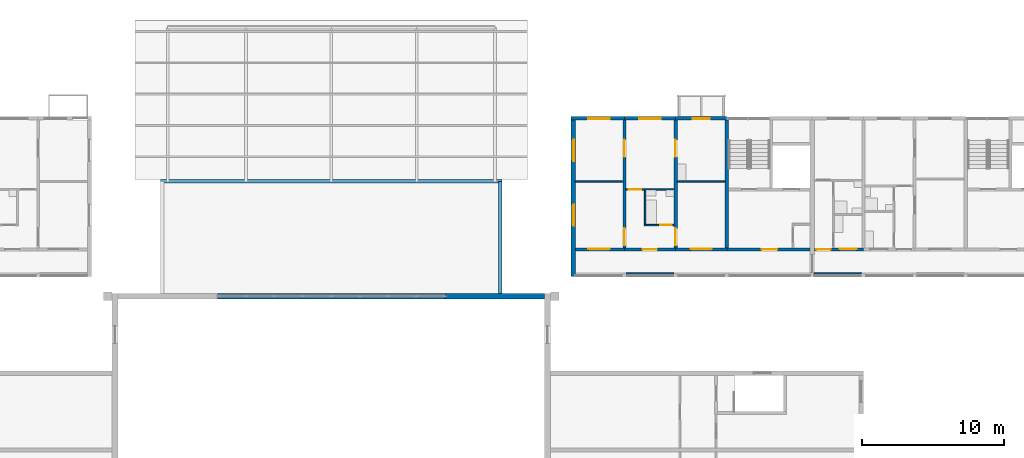
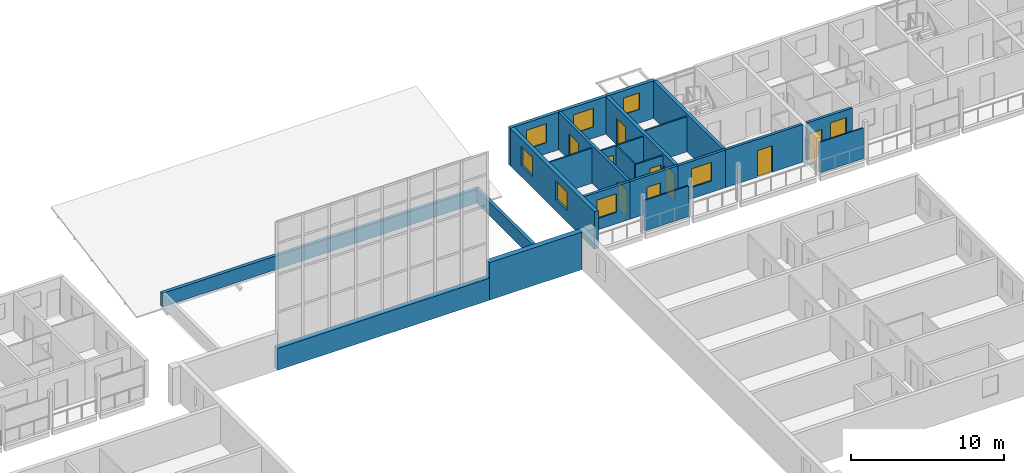
# One storey, part 75 of 122: 23 walls, 9 doors, 8 windows, 17 openings.
"""IFC4 building model written with IfcOpenShell, lengths in metres."""

from ifc_helpers import new_model, si_unit, direction, frame, frame_2d, origin, place, context, subcontext, project, spatial, rectangle, extrude, material, layer, layer_set, type_object, element, fill, save


model = new_model("IFC4")

# Units and contexts
model_context = context("Model", 3, precision=1e-05, world=origin(), true_north=direction((0.0, 1.0)))
body_context = subcontext(model_context, "Body", "Model", "MODEL_VIEW")
ifc_project = project(units=[si_unit("LENGTHUNIT", "METRE"), si_unit("AREAUNIT", "SQUARE_METRE"), si_unit("VOLUMEUNIT", "CUBIC_METRE"), si_unit("PLANEANGLEUNIT", "RADIAN"), si_unit("MASSUNIT", "GRAM", prefix="KILO")], contexts=[model_context])

# Site, building, storey
site_placement = place(None, origin())
site = spatial("IfcSite", under=ifc_project, at=site_placement, CompositionType="ELEMENT")
building_placement = place(site_placement, origin())
building = spatial("IfcBuilding", under=site, at=building_placement, Name="Ridgestep Commons", CompositionType="ELEMENT")
storey_placement = place(building_placement, frame((0.0, 0.0, 3.0)))
storey = spatial("IfcBuildingStorey", under=building, at=storey_placement, Name="L01", CompositionType="ELEMENT", Elevation=3.0)

# Walls
ifc_material_1 = material(Name="Precast concrete C40/50", Category="concrete")
ifc_layer_1 = layer(ifc_material_1, 0.25)
ifc_layer_set_1 = layer_set([ifc_layer_1], Name="Community parapet 250")
wall_type_1 = type_object("IfcWallType", Name="Community parapet 250", PredefinedType="PARAPET", material=ifc_layer_set_1)
wall_1_placement = place(storey_placement, frame((141.675048828125, 64.800048828125, 1.5), z_axis=(0.0, 0.0, 1.0), x_axis=(0.0, 1.0, 0.0)))
element("IfcWall", 1, at=wall_1_placement, inside=storey, type_object=wall_type_1, Name="Community parapet 250", PredefinedType="PARAPET", context=body_context, shape_type="SweptSolid", body=[
    extrude(rectangle(XDim=7.875, YDim=0.25, at=frame_2d((3.9375, 0.0))), origin(), (0.0, 0.0, 1.0), 1.10009765625),
])
wall_2_placement = place(storey_placement, frame((117.800048828125, 72.675048828125, 1.5), z_axis=(0.0, 0.0, 1.0), x_axis=(1.0, 0.0, 0.0)))
element("IfcWall", 2, at=wall_2_placement, inside=storey, type_object=wall_type_1, Name="Community parapet 250", PredefinedType="PARAPET", context=body_context, shape_type="SweptSolid", body=[
    extrude(rectangle(XDim=24.0, YDim=0.25, at=frame_2d((12.0, 0.0))), origin(), (0.0, 0.0, 1.0), 1.10009765625),
])
ifc_material_2 = material(Name="Concrete C30/37", Category="concrete")
ifc_layer_2 = layer(ifc_material_2, 0.25)
ifc_layer_set_2 = layer_set([ifc_layer_2], Name="Core cross wall 250")
wall_type_2 = type_object("IfcWallType", Name="Core cross wall 250", PredefinedType="SHEAR", material=ifc_layer_set_2)
wall_3_placement = place(storey_placement, frame((157.60009765625, 68.0, 0.0), z_axis=(0.0, 0.0, 1.0), x_axis=(0.0, 1.0, 0.0)))
element("IfcWall", 3, at=wall_3_placement, inside=storey, type_object=wall_type_2, Name="Cross wall C-01-1576", PredefinedType="SHEAR", context=body_context, shape_type="SweptSolid", body=[
    extrude(rectangle(XDim=9.0, YDim=0.25, at=frame_2d((4.5, 0.0))), origin(), (0.0, 0.0, 1.0), 3.0),
])

# Wall, opening, door
ifc_material_3 = material(Name="Concrete C30/37", Category="concrete")
ifc_layer_3 = layer(ifc_material_3, 0.199951171875)
ifc_layer_set_3 = layer_set([ifc_layer_3], Name="Core south wall 200")
wall_type_3 = type_object("IfcWallType", Name="Core south wall 200", PredefinedType="SHEAR", material=ifc_layer_set_3)
wall_4_placement = place(storey_placement, frame((157.60009765625, 67.89990234375, 0.0), z_axis=(0.0, 0.0, 1.0), x_axis=(1.0, 0.0, 0.0)))
wall_4 = element("IfcWall", 4, at=wall_4_placement, inside=storey, type_object=wall_type_3, Name="Core south wall C1C L01", PredefinedType="SHEAR", context=body_context, shape_type="SweptSolid", body=[
    extrude(rectangle(XDim=5.849853515625, YDim=0.199951171875, at=frame_2d((2.9248046875, 0.0))), origin(), (0.0, 0.0, 1.0), 3.0),
])
opening_1_placement = place(wall_4_placement, frame((2.4375, 0.0, 0.0)))
opening_1 = element("IfcOpeningElement", 5, at=opening_1_placement, cuts=wall_4, Name="Opening C1C/01/1", PredefinedType="OPENING", context=body_context, shape_type="SweptSolid", body=[
    extrude(rectangle(XDim=1.10009765625, YDim=2.10009765625, at=frame_2d((0.550048828125, 1.050048828125))), frame((0.0, 0.10986328125, 0.0), z_axis=(0.0, -1.0, 0.0), x_axis=(1.0, 0.0, 0.0)), (0.0, 0.0, 1.0), 0.219970703125),
])
ifc_material_4 = material(Name="Steel fire door", Category="steel")
door_type_1 = type_object("IfcDoorType", Name="Lobby door 1100 x 2100 FD60", OperationType="NOTDEFINED", PredefinedType="DOOR", material=ifc_material_4)
door_1_placement = place(opening_1_placement, origin())
door_1 = element("IfcDoor", 6, at=door_1_placement, inside=storey, type_object=door_type_1, Name="Lobby door C1C/01/1", OperationType="SINGLE_SWING_LEFT", OverallHeight=2.10009765625, OverallWidth=1.10009765625, PredefinedType="DOOR", context=body_context, shape_type="SweptSolid", body=[
    extrude(rectangle(XDim=1.10009765625, YDim=2.10009765625, at=frame_2d((0.550048828125, 1.050048828125))), frame((0.0, 0.02490234375, 0.0), z_axis=(0.0, -1.0, 0.0), x_axis=(1.0, 0.0, 0.0)), (0.0, 0.0, 1.0), 0.050048828125),
])
fill(opening_1, door_1)

# Wall, openings, doors
ifc_material_5 = material(Name="Precast concrete C40/50", Category="concrete")
ifc_layer_4 = layer(ifc_material_5, 0.199951171875)
ifc_layer_set_4 = layer_set([ifc_layer_4], Name="Cross wall 200")
wall_type_4 = type_object("IfcWallType", Name="Cross wall 200", PredefinedType="SHEAR", material=ifc_layer_set_4)
wall_5_placement = place(storey_placement, frame((150.39990234375, 68.0, 0.0), z_axis=(0.0, 0.0, 1.0), x_axis=(0.0, 1.0, 0.0)))
wall_5 = element("IfcWall", 7, at=wall_5_placement, inside=storey, type_object=wall_type_4, Name="Cross wall C-01-1504", PredefinedType="SHEAR", context=body_context, shape_type="SweptSolid", body=[
    extrude(rectangle(XDim=9.0, YDim=0.199951171875, at=frame_2d((4.5, 0.0))), origin(), (0.0, 0.0, 1.0), 3.0),
])
opening_2_placement = place(wall_5_placement, frame((0.175048828125, 0.0, 0.0)))
opening_2 = element("IfcOpeningElement", 8, at=opening_2_placement, cuts=wall_5, Name="Opening C1-01a/4", PredefinedType="OPENING", context=body_context, shape_type="SweptSolid", body=[
    extrude(rectangle(XDim=1.199951171875, YDim=2.10009765625, at=frame_2d((0.60009765625, 1.050048828125))), frame((0.0, 0.10986328125, 0.0), z_axis=(0.0, -1.0, 0.0), x_axis=(1.0, 0.0, 0.0)), (0.0, 0.0, 1.0), 0.219970703125),
])
opening_3_placement = place(wall_5_placement, frame((6.39990234375, 0.0, 0.0)))
opening_3 = element("IfcOpeningElement", 9, at=opening_3_placement, cuts=wall_5, Name="Opening C1-01a/5", PredefinedType="OPENING", context=body_context, shape_type="SweptSolid", body=[
    extrude(rectangle(XDim=1.199951171875, YDim=2.10009765625, at=frame_2d((0.60009765625, 1.050048828125))), frame((0.0, 0.10986328125, 0.0), z_axis=(0.0, -1.0, 0.0), x_axis=(1.0, 0.0, 0.0)), (0.0, 0.0, 1.0), 0.219970703125),
])
ifc_material_6 = material(Name="Timber door leaf", Category="wood")
door_type_2 = type_object("IfcDoorType", Name="Double door 1200 x 2100", OperationType="DOUBLE_DOOR_SINGLE_SWING", PredefinedType="DOOR", material=ifc_material_6)
door_2_placement = place(opening_2_placement, origin())
door_2 = element("IfcDoor", 10, at=door_2_placement, inside=storey, type_object=door_type_2, Name="Double door C1-01a/4", OperationType="DOUBLE_DOOR_SINGLE_SWING", OverallHeight=2.10009765625, OverallWidth=1.199951171875, PredefinedType="DOOR", context=body_context, shape_type="SweptSolid", body=[
    extrude(rectangle(XDim=1.199951171875, YDim=2.10009765625, at=frame_2d((0.60009765625, 1.050048828125))), frame((0.0, 0.02490234375, 0.0), z_axis=(0.0, -1.0, 0.0), x_axis=(1.0, 0.0, 0.0)), (0.0, 0.0, 1.0), 0.050048828125),
])
fill(opening_2, door_2)
door_3_placement = place(opening_3_placement, origin())
door_3 = element("IfcDoor", 11, at=door_3_placement, inside=storey, type_object=door_type_2, Name="Double door C1-01a/5", OperationType="DOUBLE_DOOR_SINGLE_SWING", OverallHeight=2.10009765625, OverallWidth=1.199951171875, PredefinedType="DOOR", context=body_context, shape_type="SweptSolid", body=[
    extrude(rectangle(XDim=1.199951171875, YDim=2.10009765625, at=frame_2d((0.60009765625, 1.050048828125))), frame((0.0, 0.02490234375, 0.0), z_axis=(0.0, -1.0, 0.0), x_axis=(1.0, 0.0, 0.0)), (0.0, 0.0, 1.0), 0.050048828125),
])
fill(opening_3, door_3)

ifc_material_7 = material(Name="Precast concrete C40/50", Category="concrete")
ifc_layer_5 = layer(ifc_material_7, 0.25)
ifc_layer_set_5 = layer_set([ifc_layer_5], Name="Cross wall 250")
wall_type_5 = type_object("IfcWallType", Name="Cross wall 250", PredefinedType="SHEAR", material=ifc_layer_set_5)
wall_6_placement = place(storey_placement, frame((154.0, 68.0, 0.0), z_axis=(0.0, 0.0, 1.0), x_axis=(0.0, 1.0, 0.0)))
wall_6 = element("IfcWall", 12, at=wall_6_placement, inside=storey, type_object=wall_type_5, Name="Cross wall C-01-1540", PredefinedType="SHEAR", context=body_context, shape_type="SweptSolid", body=[
    extrude(rectangle(XDim=9.0, YDim=0.25, at=frame_2d((4.5, 0.0))), origin(), (0.0, 0.0, 1.0), 3.0),
])
opening_4_placement = place(wall_6_placement, frame((0.175048828125, 0.0, 0.0)))
opening_4 = element("IfcOpeningElement", 13, at=opening_4_placement, cuts=wall_6, Name="Opening C1-01a/6", PredefinedType="OPENING", context=body_context, shape_type="SweptSolid", body=[
    extrude(rectangle(XDim=1.199951171875, YDim=2.10009765625, at=frame_2d((0.60009765625, 1.050048828125))), frame((0.0, 0.135009765625, 0.0), z_axis=(0.0, -1.0, 0.0), x_axis=(1.0, 0.0, 0.0)), (0.0, 0.0, 1.0), 0.27001953125),
])
opening_5_placement = place(wall_6_placement, frame((6.39990234375, 0.0, 0.0)))
opening_5 = element("IfcOpeningElement", 14, at=opening_5_placement, cuts=wall_6, Name="Opening C1-01a/7", PredefinedType="OPENING", context=body_context, shape_type="SweptSolid", body=[
    extrude(rectangle(XDim=1.199951171875, YDim=2.10009765625, at=frame_2d((0.60009765625, 1.050048828125))), frame((0.0, 0.135009765625, 0.0), z_axis=(0.0, -1.0, 0.0), x_axis=(1.0, 0.0, 0.0)), (0.0, 0.0, 1.0), 0.27001953125),
])
door_4_placement = place(opening_4_placement, origin())
door_4 = element("IfcDoor", 15, at=door_4_placement, inside=storey, type_object=door_type_2, Name="Double door C1-01a/6", OperationType="DOUBLE_DOOR_SINGLE_SWING", OverallHeight=2.10009765625, OverallWidth=1.199951171875, PredefinedType="DOOR", context=body_context, shape_type="SweptSolid", body=[
    extrude(rectangle(XDim=1.199951171875, YDim=2.10009765625, at=frame_2d((0.60009765625, 1.050048828125))), frame((0.0, 0.02490234375, 0.0), z_axis=(0.0, -1.0, 0.0), x_axis=(1.0, 0.0, 0.0)), (0.0, 0.0, 1.0), 0.050048828125),
])
fill(opening_4, door_4)
door_5_placement = place(opening_5_placement, origin())
door_5 = element("IfcDoor", 16, at=door_5_placement, inside=storey, type_object=door_type_2, Name="Double door C1-01a/7", OperationType="DOUBLE_DOOR_SINGLE_SWING", OverallHeight=2.10009765625, OverallWidth=1.199951171875, PredefinedType="DOOR", context=body_context, shape_type="SweptSolid", body=[
    extrude(rectangle(XDim=1.199951171875, YDim=2.10009765625, at=frame_2d((0.60009765625, 1.050048828125))), frame((0.0, 0.02490234375, 0.0), z_axis=(0.0, -1.0, 0.0), x_axis=(1.0, 0.0, 0.0)), (0.0, 0.0, 1.0), 0.050048828125),
])
fill(opening_5, door_5)

# Wall, openings, windows
ifc_material_8 = material(Name="Precast concrete C40/50", Category="concrete")
ifc_layer_6 = layer(ifc_material_8, 0.300048828125)
ifc_layer_set_6 = layer_set([ifc_layer_6], Name="Exposed division wall 300")
wall_type_6 = type_object("IfcWallType", Name="Exposed division wall 300", PredefinedType="SHEAR", material=ifc_layer_set_6)
wall_7_placement = place(storey_placement, frame((146.800048828125, 66.0, 0.0), z_axis=(0.0, 0.0, 1.0), x_axis=(0.0, 1.0, 0.0)))
wall_7 = element("IfcWall", 17, at=wall_7_placement, inside=storey, type_object=wall_type_6, Name="Cross wall C-01-1468", PredefinedType="SHEAR", context=body_context, shape_type="SweptSolid", body=[
    extrude(rectangle(XDim=11.0, YDim=0.300048828125, at=frame_2d((5.5, 0.0))), origin(), (0.0, 0.0, 1.0), 3.0),
])
opening_6_placement = place(wall_7_placement, frame((3.550048828125, 0.0, 0.89990234375)))
opening_6 = element("IfcOpeningElement", 18, at=opening_6_placement, cuts=wall_7, Name="Opening W16", PredefinedType="OPENING", context=body_context, shape_type="SweptSolid", body=[
    extrude(rectangle(XDim=1.5, YDim=1.5, at=frame_2d((0.75, 0.75))), frame((0.0, 0.159912109375, 0.0), z_axis=(0.0, -1.0, 0.0), x_axis=(1.0, 0.0, 0.0)), (0.0, 0.0, 1.0), 0.320068359375),
])
opening_7_placement = place(wall_7_placement, frame((8.10498046875, 0.0, 0.89990234375)))
opening_7 = element("IfcOpeningElement", 19, at=opening_7_placement, cuts=wall_7, Name="Opening W16", PredefinedType="OPENING", context=body_context, shape_type="SweptSolid", body=[
    extrude(rectangle(XDim=1.5, YDim=1.5, at=frame_2d((0.75, 0.75))), frame((0.0, 0.159912109375, 0.0), z_axis=(0.0, -1.0, 0.0), x_axis=(1.0, 0.0, 0.0)), (0.0, 0.0, 1.0), 0.320068359375),
])
ifc_material_9 = material(Name="Aluminium 6063-T6 and glass", Category="aluminium")
window_type_1 = type_object("IfcWindowType", Name="Flat window 1500 x 1500", PartitioningType="DOUBLE_PANEL_VERTICAL", PredefinedType="WINDOW", material=ifc_material_9)
window_1_placement = place(opening_6_placement, origin())
window_1 = element("IfcWindow", 20, at=window_1_placement, inside=storey, type_object=window_type_1, Name="Window C1-01a 6", OverallHeight=1.5, OverallWidth=1.5, PartitioningType="SINGLE_PANEL", PredefinedType="WINDOW", context=body_context, shape_type="SweptSolid", body=[
    extrude(rectangle(XDim=1.5, YDim=1.5, at=frame_2d((0.75, 0.75))), frame((0.0, 0.0, 0.0), z_axis=(0.0, -1.0, 0.0), x_axis=(1.0, 0.0, 0.0)), (0.0, 0.0, 1.0), 0.06005859375),
])
fill(opening_6, window_1)
window_2_placement = place(opening_7_placement, origin())
window_2 = element("IfcWindow", 21, at=window_2_placement, inside=storey, type_object=window_type_1, Name="Window C1-01a 7", OverallHeight=1.5, OverallWidth=1.5, PartitioningType="SINGLE_PANEL", PredefinedType="WINDOW", context=body_context, shape_type="SweptSolid", body=[
    extrude(rectangle(XDim=1.5, YDim=1.5, at=frame_2d((0.75, 0.75))), frame((0.0, 0.0, 0.0), z_axis=(0.0, -1.0, 0.0), x_axis=(1.0, 0.0, 0.0)), (0.0, 0.0, 1.0), 0.06005859375),
])
fill(opening_7, window_2)

# Walls
ifc_material_10 = material(Name="Precast concrete C40/50", Category="concrete")
ifc_layer_7 = layer(ifc_material_10, 0.39990234375)
ifc_layer_set_7 = layer_set([ifc_layer_7], Name="Hall wall 400")
wall_type_7 = type_object("IfcWallType", Name="Hall wall 400", PredefinedType="SOLIDWALL", material=ifc_layer_set_7)
wall_8_placement = place(storey_placement, frame((137.800048828125, 64.60009765625, 0.0), z_axis=(0.0, 0.0, 1.0), x_axis=(1.0, 0.0, 0.0)))
element("IfcWall", 22, at=wall_8_placement, inside=storey, type_object=wall_type_7, Name="Hall wall 400", PredefinedType="SOLIDWALL", context=body_context, shape_type="SweptSolid", body=[
    extrude(rectangle(XDim=7.0, YDim=0.39990234375, at=frame_2d((3.5, 0.0))), origin(), (0.0, 0.0, 1.0), 3.0),
])
wall_9_placement = place(storey_placement, frame((121.800048828125, 64.60009765625, 0.0), z_axis=(0.0, 0.0, 1.0), x_axis=(1.0, 0.0, 0.0)))
element("IfcWall", 23, at=wall_9_placement, inside=storey, type_object=wall_type_7, Name="Hall wall 400", PredefinedType="SOLIDWALL", context=body_context, shape_type="SweptSolid", body=[
    extrude(rectangle(XDim=16.0, YDim=0.39990234375, at=frame_2d((8.0, 0.0))), origin(), (0.0, 0.0, 1.0), 1.75),
])

# Wall, opening, window
ifc_material_11 = material(Name="Precast concrete C40/50", Category="concrete")
ifc_layer_8 = layer(ifc_material_11, 0.25)
ifc_layer_set_8 = layer_set([ifc_layer_8], Name="North facade panel 250")
wall_type_8 = type_object("IfcWallType", Name="North facade panel 250", PredefinedType="SOLIDWALL", material=ifc_layer_set_8)
wall_10_placement = place(storey_placement, frame((146.64990234375, 77.125, 0.0), z_axis=(0.0, 0.0, 1.0), x_axis=(1.0, 0.0, 0.0)))
wall_10 = element("IfcWall", 24, at=wall_10_placement, inside=storey, type_object=wall_type_8, Name="North panel C1T1 L01", PredefinedType="SOLIDWALL", context=body_context, shape_type="SweptSolid", body=[
    extrude(rectangle(XDim=3.75, YDim=0.25, at=frame_2d((1.875, 0.0))), origin(), (0.0, 0.0, 1.0), 3.0),
])
opening_8_placement = place(wall_10_placement, frame((1.22509765625, 0.0, 0.89990234375)))
opening_8 = element("IfcOpeningElement", 25, at=opening_8_placement, cuts=wall_10, Name="Opening W16", PredefinedType="OPENING", context=body_context, shape_type="SweptSolid", body=[
    extrude(rectangle(XDim=1.5, YDim=1.5, at=frame_2d((0.75, 0.75))), frame((0.0, 0.135009765625, 0.0), z_axis=(0.0, -1.0, 0.0), x_axis=(1.0, 0.0, 0.0)), (0.0, 0.0, 1.0), 0.27001953125),
])
window_3_placement = place(opening_8_placement, origin())
window_3 = element("IfcWindow", 26, at=window_3_placement, inside=storey, type_object=window_type_1, Name="Window C1-01a 2", OverallHeight=1.5, OverallWidth=1.5, PartitioningType="SINGLE_PANEL", PredefinedType="WINDOW", context=body_context, shape_type="SweptSolid", body=[
    extrude(rectangle(XDim=1.5, YDim=1.5, at=frame_2d((0.75, 0.75))), frame((0.0, -0.02490234375, 0.0), z_axis=(0.0, -1.0, 0.0), x_axis=(1.0, 0.0, 0.0)), (0.0, 0.0, 1.0), 0.06005859375),
])
fill(opening_8, window_3)

wall_11_placement = place(storey_placement, frame((150.39990234375, 77.125, 0.0), z_axis=(0.0, 0.0, 1.0), x_axis=(1.0, 0.0, 0.0)))
wall_11 = element("IfcWall", 27, at=wall_11_placement, inside=storey, type_object=wall_type_8, Name="North panel C1T2 L01", PredefinedType="SOLIDWALL", context=body_context, shape_type="SweptSolid", body=[
    extrude(rectangle(XDim=3.60009765625, YDim=0.25, at=frame_2d((1.800048828125, 0.0))), origin(), (0.0, 0.0, 1.0), 3.0),
])
opening_9_placement = place(wall_11_placement, frame((1.03759765625, 0.0, 0.89990234375)))
opening_9 = element("IfcOpeningElement", 28, at=opening_9_placement, cuts=wall_11, Name="Opening W16", PredefinedType="OPENING", context=body_context, shape_type="SweptSolid", body=[
    extrude(rectangle(XDim=1.5, YDim=1.5, at=frame_2d((0.75, 0.75))), frame((0.0, 0.135009765625, 0.0), z_axis=(0.0, -1.0, 0.0), x_axis=(1.0, 0.0, 0.0)), (0.0, 0.0, 1.0), 0.27001953125),
])
window_4_placement = place(opening_9_placement, origin())
window_4 = element("IfcWindow", 29, at=window_4_placement, inside=storey, type_object=window_type_1, Name="Window C1-01a 5", OverallHeight=1.5, OverallWidth=1.5, PartitioningType="SINGLE_PANEL", PredefinedType="WINDOW", context=body_context, shape_type="SweptSolid", body=[
    extrude(rectangle(XDim=1.5, YDim=1.5, at=frame_2d((0.75, 0.75))), frame((0.0, -0.02490234375, 0.0), z_axis=(0.0, -1.0, 0.0), x_axis=(1.0, 0.0, 0.0)), (0.0, 0.0, 1.0), 0.06005859375),
])
fill(opening_9, window_4)

wall_12_placement = place(storey_placement, frame((154.0, 77.125, 0.0), z_axis=(0.0, 0.0, 1.0), x_axis=(1.0, 0.0, 0.0)))
wall_12 = element("IfcWall", 30, at=wall_12_placement, inside=storey, type_object=wall_type_8, Name="North panel C1T3 L01", PredefinedType="SOLIDWALL", context=body_context, shape_type="SweptSolid", body=[
    extrude(rectangle(XDim=3.60009765625, YDim=0.25, at=frame_2d((1.800048828125, 0.0))), origin(), (0.0, 0.0, 1.0), 3.0),
])
opening_10_placement = place(wall_12_placement, frame((1.199951171875, 0.0, 1.10009765625)))
opening_10 = element("IfcOpeningElement", 31, at=opening_10_placement, cuts=wall_12, Name="Opening W08", PredefinedType="OPENING", context=body_context, shape_type="SweptSolid", body=[
    extrude(rectangle(XDim=1.199951171875, YDim=1.300048828125, at=frame_2d((0.60009765625, 0.64990234375))), frame((0.0, 0.135009765625, 0.0), z_axis=(0.0, -1.0, 0.0), x_axis=(1.0, 0.0, 0.0)), (0.0, 0.0, 1.0), 0.27001953125),
])
ifc_material_12 = material(Name="Aluminium 6063-T6 and glass", Category="aluminium")
window_type_2 = type_object("IfcWindowType", Name="Flat window 1200 x 1300", PartitioningType="SINGLE_PANEL", PredefinedType="WINDOW", material=ifc_material_12)
window_5_placement = place(opening_10_placement, origin())
window_5 = element("IfcWindow", 32, at=window_5_placement, inside=storey, type_object=window_type_2, Name="Window C1-01a 4", OverallHeight=1.300048828125, OverallWidth=1.199951171875, PartitioningType="SINGLE_PANEL", PredefinedType="WINDOW", context=body_context, shape_type="SweptSolid", body=[
    extrude(rectangle(XDim=1.199951171875, YDim=1.300048828125, at=frame_2d((0.60009765625, 0.64990234375))), frame((0.0, -0.02490234375, 0.0), z_axis=(0.0, -1.0, 0.0), x_axis=(1.0, 0.0, 0.0)), (0.0, 0.0, 1.0), 0.06005859375),
])
fill(opening_10, window_5)

# Wall, opening, door
ifc_material_13 = material(Name="Common brick 110 mm", Category="masonry")
ifc_layer_9 = layer(ifc_material_13, 0.110107421875)
ifc_layer_set_9 = layer_set([ifc_layer_9], Name="Partition 110")
wall_type_9 = type_object("IfcWallType", Name="Partition 110", PredefinedType="PARTITIONING", material=ifc_layer_set_9)
wall_13_placement = place(storey_placement, frame((151.800048828125, 69.60498046875, 0.0), z_axis=(0.0, 0.0, 1.0), x_axis=(1.0, 0.0, 0.0)))
wall_13 = element("IfcWall", 33, at=wall_13_placement, inside=storey, type_object=wall_type_9, Name="Partition C1-01a", PredefinedType="PARTITIONING", context=body_context, shape_type="SweptSolid", body=[
    extrude(rectangle(XDim=2.074951171875, YDim=0.110107421875, at=frame_2d((1.03759765625, 0.0))), origin(), (0.0, 0.0, 1.0), 2.800048828125),
])
opening_11_placement = place(wall_13_placement, frame((1.125, 0.0, 0.0)))
opening_11 = element("IfcOpeningElement", 34, at=opening_11_placement, cuts=wall_13, Name="Opening C1-01a/2", PredefinedType="OPENING", context=body_context, shape_type="SweptSolid", body=[
    extrude(rectangle(XDim=0.800048828125, YDim=2.10009765625, at=frame_2d((0.39990234375, 1.050048828125))), frame((0.0, 0.06494140625, 0.0), z_axis=(0.0, -1.0, 0.0), x_axis=(1.0, 0.0, 0.0)), (0.0, 0.0, 1.0), 0.130126953125),
])
ifc_material_14 = material(Name="Timber door leaf", Category="wood")
door_type_3 = type_object("IfcDoorType", Name="Internal door 800 x 2100", OperationType="NOTDEFINED", PredefinedType="DOOR", material=ifc_material_14)
door_6_placement = place(opening_11_placement, origin())
door_6 = element("IfcDoor", 35, at=door_6_placement, inside=storey, type_object=door_type_3, Name="Internal door C1-01a/2", OperationType="SINGLE_SWING_RIGHT", OverallHeight=2.10009765625, OverallWidth=0.800048828125, PredefinedType="DOOR", context=body_context, shape_type="SweptSolid", body=[
    extrude(rectangle(XDim=0.800048828125, YDim=2.10009765625, at=frame_2d((0.39990234375, 1.050048828125))), frame((0.0, 0.02490234375, 0.0), z_axis=(0.0, -1.0, 0.0), x_axis=(1.0, 0.0, 0.0)), (0.0, 0.0, 1.0), 0.050048828125),
])
fill(opening_11, door_6)

# Wall
wall_14_placement = place(storey_placement, frame((151.85498046875, 69.659912109375, 0.0), z_axis=(0.0, 0.0, 1.0), x_axis=(0.0, 1.0, 0.0)))
element("IfcWall", 36, at=wall_14_placement, inside=storey, type_object=wall_type_9, Name="Partition C1-01a", PredefinedType="PARTITIONING", context=body_context, shape_type="SweptSolid", body=[
    extrude(rectangle(XDim=2.400146484375, YDim=0.110107421875, at=frame_2d((1.2001953125, 0.0))), origin(), (0.0, 0.0, 1.0), 2.800048828125),
])

# Wall, opening, door
wall_15_placement = place(storey_placement, frame((150.5, 72.114990234375, 0.0), z_axis=(0.0, 0.0, 1.0), x_axis=(1.0, 0.0, 0.0)))
wall_15 = element("IfcWall", 37, at=wall_15_placement, inside=storey, type_object=wall_type_9, Name="Partition C1-01a", PredefinedType="PARTITIONING", context=body_context, shape_type="SweptSolid", body=[
    extrude(rectangle(XDim=3.375, YDim=0.110107421875, at=frame_2d((1.6875, 0.0))), origin(), (0.0, 0.0, 1.0), 2.800048828125),
])
opening_12_placement = place(wall_15_placement, frame((0.199951171875, 0.0, 0.0)))
opening_12 = element("IfcOpeningElement", 38, at=opening_12_placement, cuts=wall_15, Name="Opening C1-01a/3", PredefinedType="OPENING", context=body_context, shape_type="SweptSolid", body=[
    extrude(rectangle(XDim=0.89990234375, YDim=2.10009765625, at=frame_2d((0.449951171875, 1.050048828125))), frame((0.0, 0.06494140625, 0.0), z_axis=(0.0, -1.0, 0.0), x_axis=(1.0, 0.0, 0.0)), (0.0, 0.0, 1.0), 0.130126953125),
])
ifc_material_15 = material(Name="Timber door leaf", Category="wood")
door_type_4 = type_object("IfcDoorType", Name="Internal door 900 x 2100", OperationType="NOTDEFINED", PredefinedType="DOOR", material=ifc_material_15)
door_7_placement = place(opening_12_placement, origin())
door_7 = element("IfcDoor", 39, at=door_7_placement, inside=storey, type_object=door_type_4, Name="Internal door C1-01a/3", OperationType="SINGLE_SWING_LEFT", OverallHeight=2.10009765625, OverallWidth=0.89990234375, PredefinedType="DOOR", context=body_context, shape_type="SweptSolid", body=[
    extrude(rectangle(XDim=0.89990234375, YDim=2.10009765625, at=frame_2d((0.449951171875, 1.050048828125))), frame((0.0, 0.02490234375, 0.0), z_axis=(0.0, -1.0, 0.0), x_axis=(1.0, 0.0, 0.0)), (0.0, 0.0, 1.0), 0.050048828125),
])
fill(opening_12, door_7)

# Walls
for number, where, z_axis, x_axis, name in (
    (40, (146.949951171875, 72.655029296875, 0.0), (0.0, 0.0, 1.0), (1.0, 0.0, 0.0), "Partition C1-01a"),
    (41, (154.125, 72.655029296875, 0.0), (0.0, 0.0, 1.0), (1.0, 0.0, 0.0), "Partition C1-01a"),
):
    element("IfcWall", number, at=place(storey_placement, frame(where, z_axis=z_axis, x_axis=x_axis)), inside=storey, type_object=wall_type_9, Name=name, PredefinedType="PARTITIONING", context=body_context, shape_type="SweptSolid", body=[
        extrude(rectangle(XDim=3.35009765625, YDim=0.110107421875, at=frame_2d((1.675048828125, 0.0))), origin(), (0.0, 0.0, 1.0), 2.800048828125),
    ])
ifc_material_16 = material(Name="Precast concrete C30/37", Category="concrete")
ifc_layer_10 = layer(ifc_material_16, 0.10009765625)
ifc_layer_set_10 = layer_set([ifc_layer_10], Name="Perforated gallery screen 3325 x 2450 x 100")
wall_type_10 = type_object("IfcWallType", Name="Perforated gallery screen 3325 x 2450 x 100", PredefinedType="SOLIDWALL", material=ifc_layer_set_10)
wall_16_placement = place(storey_placement, frame((163.75, 66.199951171875, 0.0), z_axis=(0.0, 0.0, 1.0), x_axis=(1.0, 0.0, 0.0)))
element("IfcWall", 42, at=wall_16_placement, inside=storey, type_object=wall_type_10, Name="Gallery screen C2T1 01", PredefinedType="SOLIDWALL", context=body_context, shape_type="SweptSolid", body=[
    extrude(rectangle(XDim=3.324951171875, YDim=0.10009765625, at=frame_2d((1.66259765625, 0.0))), origin(), (0.0, 0.0, 1.0), 2.449951171875),
])
ifc_material_17 = material(Name="Precast concrete C30/37", Category="concrete")
ifc_layer_11 = layer(ifc_material_17, 0.10009765625)
ifc_layer_set_11 = layer_set([ifc_layer_11], Name="Perforated gallery screen 3350 x 2450 x 100")
wall_type_11 = type_object("IfcWallType", Name="Perforated gallery screen 3350 x 2450 x 100", PredefinedType="SOLIDWALL", material=ifc_layer_set_11)
wall_17_placement = place(storey_placement, frame((150.52490234375, 66.199951171875, 0.0), z_axis=(0.0, 0.0, 1.0), x_axis=(1.0, 0.0, 0.0)))
element("IfcWall", 43, at=wall_17_placement, inside=storey, type_object=wall_type_11, Name="Gallery screen C1T2 01", PredefinedType="SOLIDWALL", context=body_context, shape_type="SweptSolid", body=[
    extrude(rectangle(XDim=3.35009765625, YDim=0.10009765625, at=frame_2d((1.675048828125, 0.0))), origin(), (0.0, 0.0, 1.0), 2.449951171875),
])

# Wall, opening, window
ifc_material_18 = material(Name="Precast concrete C40/50", Category="concrete")
ifc_layer_12 = layer(ifc_material_18, 0.199951171875)
ifc_layer_set_12 = layer_set([ifc_layer_12], Name="South facade panel 200")
wall_type_12 = type_object("IfcWallType", Name="South facade panel 200", PredefinedType="SOLIDWALL", material=ifc_layer_set_12)
wall_18_placement = place(storey_placement, frame((146.949951171875, 67.89990234375, 0.0), z_axis=(0.0, 0.0, 1.0), x_axis=(1.0, 0.0, 0.0)))
wall_18 = element("IfcWall", 44, at=wall_18_placement, inside=storey, type_object=wall_type_12, Name="South panel C1T1 L01", PredefinedType="SOLIDWALL", context=body_context, shape_type="SweptSolid", body=[
    extrude(rectangle(XDim=3.449951171875, YDim=0.199951171875, at=frame_2d((1.72509765625, 0.0))), origin(), (0.0, 0.0, 1.0), 3.0),
])
opening_13_placement = place(wall_18_placement, frame((0.925048828125, 0.0, 0.89990234375)))
opening_13 = element("IfcOpeningElement", 45, at=opening_13_placement, cuts=wall_18, Name="Opening W16", PredefinedType="OPENING", context=body_context, shape_type="SweptSolid", body=[
    extrude(rectangle(XDim=1.5, YDim=1.5, at=frame_2d((0.75, 0.75))), frame((0.0, 0.10986328125, 0.0), z_axis=(0.0, -1.0, 0.0), x_axis=(1.0, 0.0, 0.0)), (0.0, 0.0, 1.0), 0.219970703125),
])
window_6_placement = place(opening_13_placement, origin())
window_6 = element("IfcWindow", 46, at=window_6_placement, inside=storey, type_object=window_type_1, Name="Window C1-01a 1", OverallHeight=1.5, OverallWidth=1.5, PartitioningType="SINGLE_PANEL", PredefinedType="WINDOW", context=body_context, shape_type="SweptSolid", body=[
    extrude(rectangle(XDim=1.5, YDim=1.5, at=frame_2d((0.75, 0.75))), frame((0.0, 0.06005859375, 0.0), z_axis=(0.0, -1.0, 0.0), x_axis=(1.0, 0.0, 0.0)), (0.0, 0.0, 1.0), 0.06005859375),
])
fill(opening_13, window_6)

# Wall, opening, door
wall_19_placement = place(storey_placement, frame((150.39990234375, 67.89990234375, 0.0), z_axis=(0.0, 0.0, 1.0), x_axis=(1.0, 0.0, 0.0)))
wall_19 = element("IfcWall", 47, at=wall_19_placement, inside=storey, type_object=wall_type_12, Name="South panel C1T2 L01", PredefinedType="SOLIDWALL", context=body_context, shape_type="SweptSolid", body=[
    extrude(rectangle(XDim=3.60009765625, YDim=0.199951171875, at=frame_2d((1.800048828125, 0.0))), origin(), (0.0, 0.0, 1.0), 3.0),
])
opening_14_placement = place(wall_19_placement, frame((1.28759765625, 0.0, 0.0)))
opening_14 = element("IfcOpeningElement", 48, at=opening_14_placement, cuts=wall_19, Name="Opening C1-01a/1", PredefinedType="OPENING", context=body_context, shape_type="SweptSolid", body=[
    extrude(rectangle(XDim=1.0, YDim=2.10009765625, at=frame_2d((0.5, 1.050048828125))), frame((0.0, 0.10986328125, 0.0), z_axis=(0.0, -1.0, 0.0), x_axis=(1.0, 0.0, 0.0)), (0.0, 0.0, 1.0), 0.219970703125),
])
ifc_material_19 = material(Name="Timber door leaf", Category="wood")
door_type_5 = type_object("IfcDoorType", Name="Flat entrance door 1000 x 2100 FD30S", OperationType="NOTDEFINED", PredefinedType="DOOR", material=ifc_material_19)
door_8_placement = place(opening_14_placement, origin())
door_8 = element("IfcDoor", 49, at=door_8_placement, inside=storey, type_object=door_type_5, Name="Flat entrance door C1-01a/1", OperationType="SINGLE_SWING_LEFT", OverallHeight=2.10009765625, OverallWidth=1.0, PredefinedType="DOOR", context=body_context, shape_type="SweptSolid", body=[
    extrude(rectangle(XDim=1.0, YDim=2.10009765625, at=frame_2d((0.5, 1.050048828125))), frame((0.0, 0.02490234375, 0.0), z_axis=(0.0, -1.0, 0.0), x_axis=(1.0, 0.0, 0.0)), (0.0, 0.0, 1.0), 0.050048828125),
])
fill(opening_14, door_8)

# Wall, opening, window
wall_20_placement = place(storey_placement, frame((154.0, 67.89990234375, 0.0), z_axis=(0.0, 0.0, 1.0), x_axis=(1.0, 0.0, 0.0)))
wall_20 = element("IfcWall", 50, at=wall_20_placement, inside=storey, type_object=wall_type_12, Name="South panel C1T3 L01", PredefinedType="SOLIDWALL", context=body_context, shape_type="SweptSolid", body=[
    extrude(rectangle(XDim=3.60009765625, YDim=0.199951171875, at=frame_2d((1.800048828125, 0.0))), origin(), (0.0, 0.0, 1.0), 3.0),
])
opening_15_placement = place(wall_20_placement, frame((1.050048828125, 0.0, 0.89990234375)))
opening_15 = element("IfcOpeningElement", 51, at=opening_15_placement, cuts=wall_20, Name="Opening W16", PredefinedType="OPENING", context=body_context, shape_type="SweptSolid", body=[
    extrude(rectangle(XDim=1.5, YDim=1.5, at=frame_2d((0.75, 0.75))), frame((0.0, 0.10986328125, 0.0), z_axis=(0.0, -1.0, 0.0), x_axis=(1.0, 0.0, 0.0)), (0.0, 0.0, 1.0), 0.219970703125),
])
window_7_placement = place(opening_15_placement, origin())
window_7 = element("IfcWindow", 52, at=window_7_placement, inside=storey, type_object=window_type_1, Name="Window C1-01a 3", OverallHeight=1.5, OverallWidth=1.5, PartitioningType="SINGLE_PANEL", PredefinedType="WINDOW", context=body_context, shape_type="SweptSolid", body=[
    extrude(rectangle(XDim=1.5, YDim=1.5, at=frame_2d((0.75, 0.75))), frame((0.0, 0.06005859375, 0.0), z_axis=(0.0, -1.0, 0.0), x_axis=(1.0, 0.0, 0.0)), (0.0, 0.0, 1.0), 0.06005859375),
])
fill(opening_15, window_7)

# Wall, openings, door, window
wall_21_placement = place(storey_placement, frame((163.75, 67.89990234375, 0.0), z_axis=(0.0, 0.0, 1.0), x_axis=(1.0, 0.0, 0.0)))
wall_21 = element("IfcWall", 53, at=wall_21_placement, inside=storey, type_object=wall_type_12, Name="South panel C2T1 L01", PredefinedType="SOLIDWALL", context=body_context, shape_type="SweptSolid", body=[
    extrude(rectangle(XDim=3.449951171875, YDim=0.199951171875, at=frame_2d((1.72509765625, 0.0))), origin(), (0.0, 0.0, 1.0), 3.0),
])
opening_16_placement = place(wall_21_placement, frame((1.780029296875, 0.0, 1.10009765625)))
opening_16 = element("IfcOpeningElement", 54, at=opening_16_placement, cuts=wall_21, Name="Opening W08", PredefinedType="OPENING", context=body_context, shape_type="SweptSolid", body=[
    extrude(rectangle(XDim=1.199951171875, YDim=1.300048828125, at=frame_2d((0.60009765625, 0.64990234375))), frame((0.0, 0.10986328125, 0.0), z_axis=(0.0, -1.0, 0.0), x_axis=(1.0, 0.0, 0.0)), (0.0, 0.0, 1.0), 0.219970703125),
])
opening_17_placement = place(wall_21_placement, frame((0.14990234375, 0.0, 0.0)))
opening_17 = element("IfcOpeningElement", 55, at=opening_17_placement, cuts=wall_21, Name="Opening C2-01a/1", PredefinedType="OPENING", context=body_context, shape_type="SweptSolid", body=[
    extrude(rectangle(XDim=1.0, YDim=2.10009765625, at=frame_2d((0.5, 1.050048828125))), frame((0.0, 0.10986328125, 0.0), z_axis=(0.0, -1.0, 0.0), x_axis=(1.0, 0.0, 0.0)), (0.0, 0.0, 1.0), 0.219970703125),
])
door_9_placement = place(opening_17_placement, origin())
door_9 = element("IfcDoor", 56, at=door_9_placement, inside=storey, type_object=door_type_5, Name="Flat entrance door C2-01a/1", OperationType="SINGLE_SWING_LEFT", OverallHeight=2.10009765625, OverallWidth=1.0, PredefinedType="DOOR", context=body_context, shape_type="SweptSolid", body=[
    extrude(rectangle(XDim=1.0, YDim=2.10009765625, at=frame_2d((0.5, 1.050048828125))), frame((0.0, 0.02490234375, 0.0), z_axis=(0.0, -1.0, 0.0), x_axis=(1.0, 0.0, 0.0)), (0.0, 0.0, 1.0), 0.050048828125),
])
fill(opening_17, door_9)
window_8_placement = place(opening_16_placement, origin())
window_8 = element("IfcWindow", 57, at=window_8_placement, inside=storey, type_object=window_type_2, Name="Window C2-01a 1", OverallHeight=1.300048828125, OverallWidth=1.199951171875, PartitioningType="SINGLE_PANEL", PredefinedType="WINDOW", context=body_context, shape_type="SweptSolid", body=[
    extrude(rectangle(XDim=1.199951171875, YDim=1.300048828125, at=frame_2d((0.60009765625, 0.64990234375))), frame((0.0, 0.06005859375, 0.0), z_axis=(0.0, -1.0, 0.0), x_axis=(1.0, 0.0, 0.0)), (0.0, 0.0, 1.0), 0.06005859375),
])
fill(opening_16, window_8)

save(model, "model.ifc")
